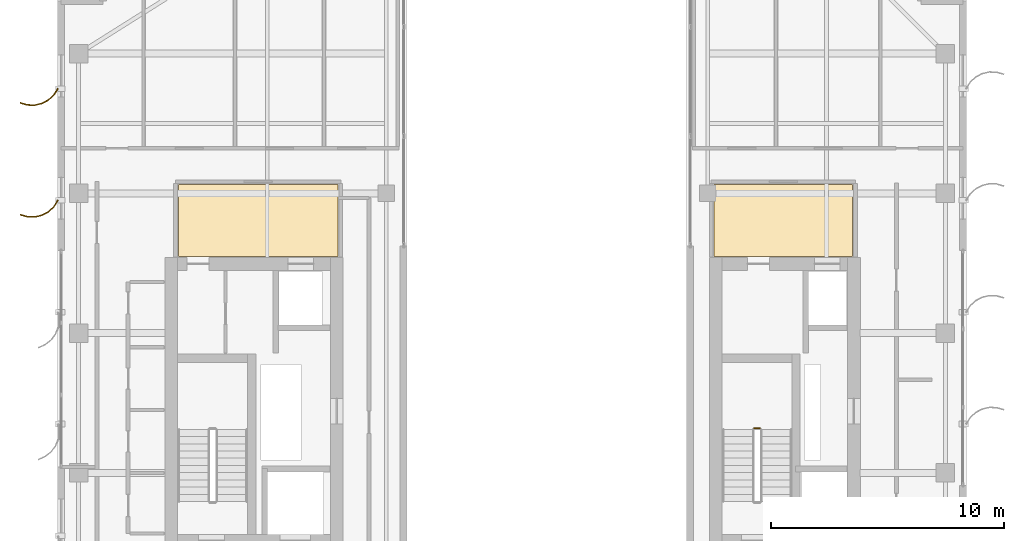
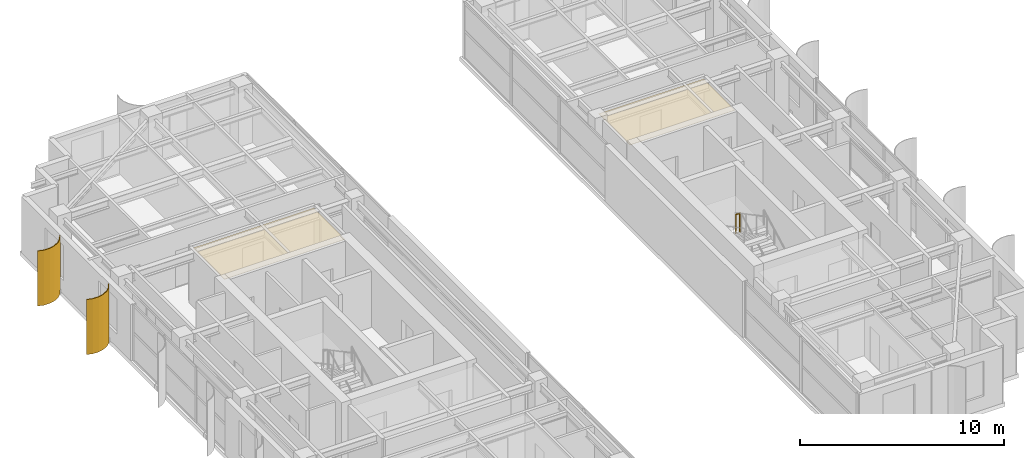
# One storey, part 23 of 24: 2 coverings, 2 shading devices, 1 railing.
"""IFC4 building model written with IfcOpenShell, lengths in metres."""

from ifc_helpers import new_model, si_unit, direction, frame, origin, origin_2d, place, context, subcontext, project, spatial, polyline, circle, outline, extrude, source, transform, mapped, material, layer, layer_set, type_object, element, save


model = new_model("IFC4")

# Units and contexts
model_context = context("Model", 3, precision=1e-05, world=origin(), true_north=direction((0.0, 1.0)))
body_context = subcontext(model_context, "Body", "Model", "MODEL_VIEW")
ifc_project = project(units=[si_unit("LENGTHUNIT", "METRE"), si_unit("AREAUNIT", "SQUARE_METRE"), si_unit("VOLUMEUNIT", "CUBIC_METRE"), si_unit("PLANEANGLEUNIT", "RADIAN"), si_unit("MASSUNIT", "GRAM", prefix="KILO")], contexts=[model_context])

# Site, building, storey
site_placement = place(None, origin())
site = spatial("IfcSite", under=ifc_project, at=site_placement, CompositionType="ELEMENT")
building_placement = place(site_placement, origin())
building = spatial("IfcBuilding", under=site, at=building_placement, Name="Khoralis Quay Care Tower", CompositionType="ELEMENT")
storey_placement = place(building_placement, frame((0.0, 0.0, 234.89990234375)))
storey = spatial("IfcBuildingStorey", under=building, at=storey_placement, Name="L61", CompositionType="ELEMENT", Elevation=234.89990234375)

# Coverings
ifc_material_1 = material(Name="Mineral-fibre acoustic ceiling tile")
ifc_layer_1 = layer(ifc_material_1, 0.01806640625)
ifc_layer_set_1 = layer_set([ifc_layer_1], Name="Mineral-fibre acoustic ceiling tile")
covering_type = type_object("IfcCoveringType", Name="COV-CEIL-AC18", PredefinedType="CEILING", material=ifc_layer_set_1)
covering_1_placement = place(storey_placement, frame((0.0, 0.0, 3.212158203125)))
element("IfcCovering", 1, at=covering_1_placement, inside=storey, type_object=covering_type, Name="Suspended Acoustic Ceiling SP-L61-LLOB-W", PredefinedType="CEILING", context=body_context, shape_type="SweptSolid", body=[
    extrude(outline(polyline([(8.179931640625, 27.300048828125), (15.02001953125, 27.300048828125), (15.02001953125, 30.389892578125), (8.179931640625, 30.389892578125), (8.179931640625, 27.300048828125)])), origin(), (0.0, 0.0, 1.0), 0.017822265625),
])
covering_2_placement = place(storey_placement, frame((0.0, 0.0, 3.212158203125)))
element("IfcCovering", 2, at=covering_2_placement, inside=storey, type_object=covering_type, Name="Suspended Acoustic Ceiling SP-L61-LLOB-E", PredefinedType="CEILING", context=body_context, shape_type="SweptSolid", body=[
    extrude(outline(polyline([(31.179931640625, 27.300048828125), (37.1201171875, 27.300048828125), (37.1201171875, 30.389892578125), (31.179931640625, 30.389892578125), (31.179931640625, 27.300048828125)])), origin(), (0.0, 0.0, 1.0), 0.017822265625),
])

# Railing
ifc_material_2 = material(Name="Brushed stainless steel", Category="steel")
railing_type = type_object("IfcRailingType", Name="RL-GUARD-1150", PredefinedType="GUARDRAIL", material=ifc_material_2)
railing_placement = place(storey_placement, frame((33.139892578125, 19.919921875, 1.800048828125)))
element("IfcRailing", 3, at=railing_placement, inside=storey, type_object=railing_type, Name="L61 ST-T2 stair guard 2", PredefinedType="GUARDRAIL", context=body_context, shape_type="SweptSolid", body=[
    extrude(circle(Radius=0.02392578125, at=origin_2d()), frame((0.0, 0.0, 1.1259765625), z_axis=(-1.0, 0.0, 0.0), x_axis=(0.0, -1.0, 0.0)), (0.0, 0.0, 1.0), 0.239990234375),
    extrude(circle(Radius=0.02099609375, at=origin_2d()), origin(), (0.0, 0.0, 1.0), 1.101806640625),
    extrude(circle(Radius=0.02099609375, at=origin_2d()), frame((-0.239990234375, 0.0, 0.0)), (0.0, 0.0, 1.0), 1.101806640625),
])

# Shading devices
ifc_material_3 = material(Name="Brushed pale anodised aluminium", Category="aluminium")
ifc_layer_2 = layer(ifc_material_3, 0.044921875)
ifc_layer_set_2 = layer_set([ifc_layer_2], Name="Brushed pale anodised aluminium")
shading_device_type = type_object("IfcShadingDeviceType", Name="SHD-FIN-1250", PredefinedType="USERDEFINED", material=ifc_layer_set_2)
shared_shape = source(origin(), body_context, "Body", "SweptSolid", [
    extrude(outline(polyline([(0.0, 0.0), (0.17041015625, 0.2783203125), (0.4072265625, 0.5029296875), (0.694091796875, 0.658447265625), (1.01123046875, 0.734619140625), (1.33740234375, 0.72607421875), (1.650390625, 0.633544921875), (1.632080078125, 0.59228515625), (1.330322265625, 0.681640625), (1.015869140625, 0.68994140625), (0.710205078125, 0.616455078125), (0.43359375, 0.466552734375), (0.20556640625, 0.25), (0.041015625, -0.018310546875), (0.0, 0.0)])), origin(), (0.0, 0.0, 1.0), 3.300048828125),
])
for number, where, z_axis, x_axis, name in (
    (4, (3.030029296875, 34.5, 0.02001953125), (0.0, 0.0, 1.0), (-1.0, 0.0, 0.0), "L61 Curved Solar Fin P1E7-01"),
    (5, (3.030029296875, 29.699951171875, 0.02001953125), (0.0, 0.0, 1.0), (-1.0, 0.0, 0.0), "L61 Curved Solar Fin P1E7-02"),
):
    element("IfcShadingDevice", number, at=place(storey_placement, frame(where, z_axis=z_axis, x_axis=x_axis)), inside=storey, type_object=shading_device_type, Name=name, ObjectType="FIN", PredefinedType="USERDEFINED", context=body_context, shape_type="MappedRepresentation", body=[
        mapped(shared_shape, transform((0.0, 0.0, 0.0), scale=1.0)),
    ])

save(model, "model.ifc")
